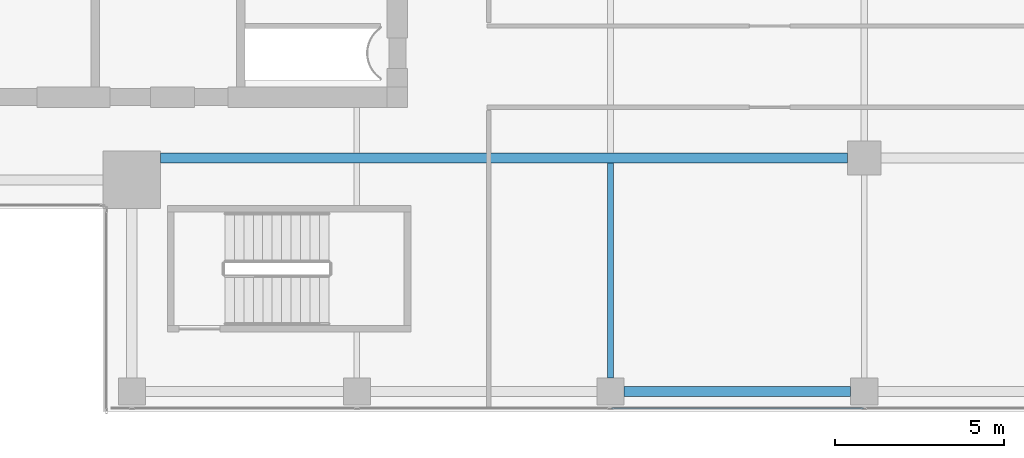
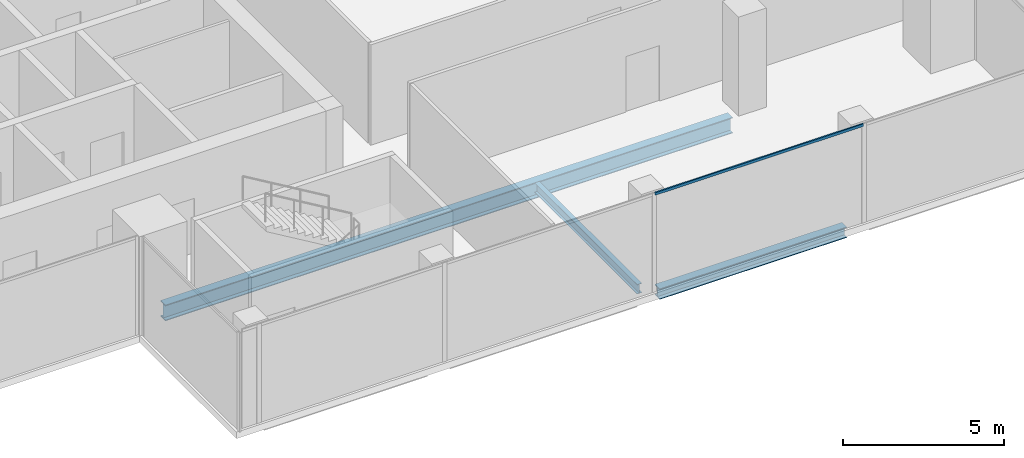
# One storey, part 6 of 29: 3 beams, 1 member, 1 element without a shape of its own.
"""IFC4 building model written with IfcOpenShell, lengths in metres."""

from ifc_helpers import new_model, si_unit, direction, frame, origin, origin_2d, place, context, subcontext, project, spatial, hollow_rectangle, i_section, extrude, source, transform, mapped, material, material_profile, profile_set, type_object, element, aggregate, save


model = new_model("IFC4")

# Units and contexts
model_context = context("Model", 3, precision=1e-05, world=origin(), true_north=direction((0.0, 1.0)))
body_context = subcontext(model_context, "Body", "Model", "MODEL_VIEW")
ifc_project = project(units=[si_unit("LENGTHUNIT", "METRE"), si_unit("AREAUNIT", "SQUARE_METRE"), si_unit("VOLUMEUNIT", "CUBIC_METRE"), si_unit("PLANEANGLEUNIT", "RADIAN"), si_unit("MASSUNIT", "GRAM", prefix="KILO")], contexts=[model_context])

# Site, building, storey
site_placement = place(None, origin())
site = spatial("IfcSite", under=ifc_project, at=site_placement, CompositionType="ELEMENT")
building_placement = place(site_placement, origin())
building = spatial("IfcBuilding", under=site, at=building_placement, Name="Khomas Fold Tower", CompositionType="ELEMENT")
storey_placement = place(building_placement, frame((0.0, 0.0, 314.199951171875)))
storey = spatial("IfcBuildingStorey", under=building, at=storey_placement, Name="L71", CompositionType="ELEMENT", Elevation=314.199951171875)

# Beams
ifc_material_1 = material(Name="Steel S355", Category="steel")
ifc_material_profile_1 = material_profile(ifc_material_1, i_section(OverallWidth=0.300048828125, OverallDepth=0.39990234375, WebThickness=0.013427734375, FlangeThickness=0.02392578125, at=origin_2d()), Name="HE 400 B")
ifc_profile_set_1 = profile_set([ifc_material_profile_1], Name="Steel S355")
beam_type_1 = type_object("IfcBeamType", Name="HE 400 B spandrel SB5", PredefinedType="SPANDREL", material=ifc_profile_set_1)
shared_shape_1 = source(origin(), body_context, "Body", "SweptSolid", [
    extrude(i_section(OverallWidth=0.300048828125, OverallDepth=0.39990234375, WebThickness=0.013427734375, FlangeThickness=0.02392578125, at=origin_2d()), origin(), (0.0, 0.0, 1.0), 6.7001953125),
])
beam_1_placement = place(storey_placement, frame((27.39990234375, 6.60009765625, -0.449951171875), z_axis=(1.0, 0.0, 0.0), x_axis=(0.0, 1.0, 0.0)))
element("IfcBeam", 1, at=beam_1_placement, inside=storey, type_object=beam_type_1, Name="SB5", PredefinedType="SPANDREL", context=body_context, shape_type="MappedRepresentation", body=[
    mapped(shared_shape_1, transform((0.0, 0.0, 0.0))),
])
ifc_material_2 = material(Name="Steel S355", Category="steel")
ifc_material_profile_2 = material_profile(ifc_material_2, i_section(OverallWidth=0.300048828125, OverallDepth=0.60009765625, WebThickness=0.015380859375, FlangeThickness=0.030029296875, at=origin_2d()), Name="HE 600 B")
ifc_profile_set_2 = profile_set([ifc_material_profile_2], Name="Steel S355")
beam_type_2 = type_object("IfcBeamType", Name="HE 600 B beam GB5", PredefinedType="BEAM", material=ifc_profile_set_2)
shared_shape_2 = source(origin(), body_context, "Body", "SweptSolid", [
    extrude(i_section(OverallWidth=0.300048828125, OverallDepth=0.60009765625, WebThickness=0.015380859375, FlangeThickness=0.030029296875, at=origin_2d()), origin(), (0.0, 0.0, 1.0), 20.300048828125),
])
beam_2_placement = place(storey_placement, frame((13.699951171875, 13.5, -0.550048828125), z_axis=(1.0, 0.0, 0.0), x_axis=(0.0, 1.0, 0.0)))
element("IfcBeam", 2, at=beam_2_placement, inside=storey, type_object=beam_type_2, Name="GB5", PredefinedType="BEAM", context=body_context, shape_type="MappedRepresentation", body=[
    mapped(shared_shape_2, transform((0.0, 0.0, 0.0))),
])
ifc_material_3 = material(Name="Steel S355", Category="steel")
ifc_material_profile_3 = material_profile(ifc_material_3, i_section(OverallWidth=0.169921875, OverallDepth=0.360107421875, WebThickness=0.008056640625, FlangeThickness=0.0126953125, at=origin_2d()), Name="IPE 360")
ifc_profile_set_3 = profile_set([ifc_material_profile_3], Name="Steel S355")
beam_type_3 = type_object("IfcBeamType", Name="IPE 360 beam JB2", PredefinedType="BEAM", material=ifc_profile_set_3)
shared_shape_3 = source(origin(), body_context, "Body", "SweptSolid", [
    extrude(i_section(OverallWidth=0.169921875, OverallDepth=0.360107421875, WebThickness=0.008056640625, FlangeThickness=0.0126953125, at=origin_2d()), origin(), (0.0, 0.0, 1.0), 6.35009765625),
])
beam_3_placement = place(storey_placement, frame((27.0, 7.0, -0.429931640625), z_axis=(0.0, 1.0, 0.0), x_axis=(-1.0, 0.0, 0.0)))
element("IfcBeam", 3, at=beam_3_placement, inside=storey, type_object=beam_type_3, Name="JB2", PredefinedType="BEAM", context=body_context, shape_type="MappedRepresentation", body=[
    mapped(shared_shape_3, transform((0.0, 0.0, 0.0))),
])

# Curtain wall, member
ifc_material_4 = material(Name="Aluminium framed double glazing", Category="aluminium")
curtain_wall_type = type_object("IfcCurtainWallType", Name="SK-Unitised clear-glass wall, upper floors CW3", PredefinedType="NOTDEFINED", material=ifc_material_4)
curtain_wall_placement = place(storey_placement, origin())
curtain_wall = element("IfcCurtainWall", 4, at=curtain_wall_placement, inside=storey, type_object=curtain_wall_type, Name="CW3 run L71 00-0", PredefinedType="NOTDEFINED")
ifc_material_5 = material(Name="Aluminium", Category="aluminium")
ifc_material_profile_4 = material_profile(ifc_material_5, hollow_rectangle(XDim=0.050048828125, YDim=0.10009765625, WallThickness=0.00390625, at=origin_2d()), Name="SK-Unitised clear-glass wall, upper floors transom CW3-T")
ifc_profile_set_4 = profile_set([ifc_material_profile_4], Name="Aluminium")
member_type = type_object("IfcMemberType", Name="SK-Unitised clear-glass wall, upper floors transom CW3-T", PredefinedType="USERDEFINED", material=ifc_profile_set_4)
shared_shape_4 = source(origin(), body_context, "Body", "SweptSolid", [
    extrude(hollow_rectangle(XDim=0.050048828125, YDim=0.10009765625, WallThickness=0.00390625, at=origin_2d()), origin(), (0.0, 0.0, 1.0), 7.4501953125),
])
member_placement = place(storey_placement, frame((27.02490234375, 6.10009765625, 3.699951171875), z_axis=(1.0, 0.0, 0.0), x_axis=(0.0, 1.0, 0.0)))
member = element("IfcMember", 5, at=member_placement, type_object=member_type, Name="CW3 transom 4", ObjectType="TRANSOM", PredefinedType="USERDEFINED", context=body_context, shape_type="MappedRepresentation", body=[
    mapped(shared_shape_4, transform((0.0, 0.0, 0.0))),
])
aggregate(curtain_wall, [member])

save(model, "model.ifc")
